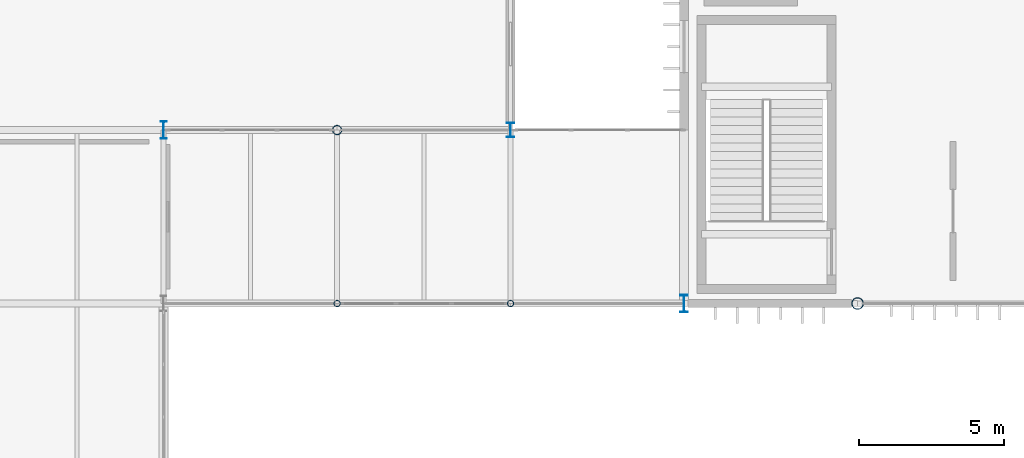
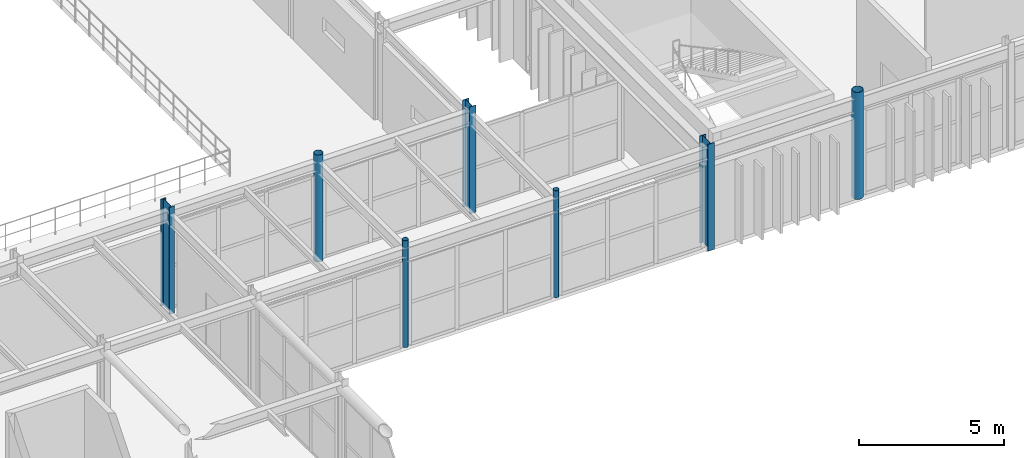
# One storey, part 9 of 84: 7 columns.
"""IFC4 building model written with IfcOpenShell, lengths in metres."""

import ifcopenshell
import ifcopenshell.guid

model = None  # the IFC model being written
_history = None  # IfcOwnerHistory: only IFC2X3 demands one
_inside = {}  # id of a spatial element -> (the spatial element, [elements in it])
_under = {}  # id of a project, library or spatial element -> (it, [spatial elements below it])
_declared = {}  # id of a project -> (the project, [libraries it declares])
_typed = {}  # id of a type object -> (the type object, [elements of that type])
_made_of = {}  # id of a material, layer set ... -> (it, [elements and type objects made of it])


def new_model(schema):
    """Start an empty IFC model of exactly this schema.

    Asked for "IFC4X3", IfcOpenShell would pick the latest addendum, in which some entities
    have other attributes; the version numbers below select the first issue.
    IFC2X3 requires an IfcOwnerHistory on every rooted entity: one is made here for all.
    """
    global model, _history
    if schema == "IFC4X3":
        model = ifcopenshell.file(schema_version=(4, 3, 0, 0))
    else:
        model = ifcopenshell.file(schema=schema)
    _inside.clear()
    _under.clear()
    _declared.clear()
    _typed.clear()
    _made_of.clear()
    _history = None
    if model.schema == "IFC2X3":
        org = make("IfcOrganization", Name="unknown")
        user = make(
            "IfcPersonAndOrganization",
            ThePerson=make("IfcPerson", FamilyName="unknown"),
            TheOrganization=org,
        )
        app = make(
            "IfcApplication",
            ApplicationDeveloper=org,
            Version="unknown",
            ApplicationFullName="unknown",
            ApplicationIdentifier="unknown",
        )
        _history = make(
            "IfcOwnerHistory",
            OwningUser=user,
            OwningApplication=app,
            ChangeAction="ADDED",
            CreationDate=0,
        )
    return model


def make(cls, **values):
    """One entity of the class cls with the attributes given. An attribute that is None is left unset."""
    return model.create_entity(
        cls, **{name: value for name, value in values.items() if value is not None}
    )


def rooted(cls, **values):
    """An entity with a GlobalId (a new one), such as an element, a storey or a relation."""
    return make(cls, GlobalId=ifcopenshell.guid.new(), OwnerHistory=_history, **values)


def si_unit(unit_type, name, prefix=None):
    """IfcSIUnit, for example si_unit("LENGTHUNIT", "METRE", prefix="MILLI")."""
    return make("IfcSIUnit", UnitType=unit_type, Prefix=prefix, Name=name)


def assignment(units):
    """IfcUnitAssignment: the units of a project."""
    return None if units is None else make("IfcUnitAssignment", Units=units)


def point(xyz):
    """IfcCartesianPoint."""
    return None if xyz is None else make("IfcCartesianPoint", Coordinates=xyz)


def direction(xyz):
    """IfcDirection."""
    return None if xyz is None else make("IfcDirection", DirectionRatios=xyz)


def frame(location, z_axis=None, x_axis=None):
    """IfcAxis2Placement3D, a coordinate frame: its origin and axes. An axis left out is left unset."""
    return make(
        "IfcAxis2Placement3D",
        Location=point(location),
        Axis=direction(z_axis),
        RefDirection=direction(x_axis),
    )


def frame_2d(location, x_axis=None):
    """IfcAxis2Placement2D, a coordinate frame in the plane: its origin and x axis."""
    return make(
        "IfcAxis2Placement2D", Location=point(location), RefDirection=direction(x_axis)
    )


def origin():
    """The frame at (0, 0, 0) with its axes left unset."""
    return frame((0.0, 0.0, 0.0))


def origin_2d():
    """The frame at (0, 0) in the plane with its x axis left unset."""
    return frame_2d((0.0, 0.0))


def place(relative_to, where):
    """IfcLocalPlacement: puts the frame where relative to a parent placement (None: the world)."""
    return make(
        "IfcLocalPlacement", PlacementRelTo=relative_to, RelativePlacement=where
    )


def context(
    kind, dimensions, precision=None, world=None, true_north=None, identifier=None
):
    """IfcGeometricRepresentationContext, for example the 3D "Model" context."""
    return make(
        "IfcGeometricRepresentationContext",
        ContextIdentifier=identifier,
        ContextType=kind,
        CoordinateSpaceDimension=dimensions,
        Precision=precision,
        WorldCoordinateSystem=world,
        TrueNorth=true_north,
    )


def subcontext(parent, identifier, kind, view, scale=None):
    """IfcGeometricRepresentationSubContext, for example "Body" below "Model"."""
    return make(
        "IfcGeometricRepresentationSubContext",
        ContextIdentifier=identifier,
        ContextType=kind,
        ParentContext=parent,
        TargetScale=scale,
        TargetView=view,
    )


def project(units=None, contexts=None):
    """IfcProject with its units and contexts."""
    return rooted(
        "IfcProject",
        Name="project",
        RepresentationContexts=contexts,
        UnitsInContext=assignment(units),
    )


def spatial(cls, under=None, at=None, **own):
    """A site, building, storey or space (cls), placed at a placement, below another one or the project."""
    s = rooted(cls, ObjectPlacement=at, **own)
    if under is not None:
        _under.setdefault(under.id(), (under, []))[1].append(s)
    return s


def profile(cls, at=None, kind="AREA", **sizes):
    """A parametric profile (cls). Its sizes go by their IFC names, for example OverallWidth=200.0."""
    return make(cls, ProfileType=kind, Position=at, **sizes)


def hollow_circle(**sizes):
    """IfcCircleHollowProfileDef."""
    return profile("IfcCircleHollowProfileDef", **sizes)


def i_section(**sizes):
    """IfcIShapeProfileDef."""
    return profile("IfcIShapeProfileDef", **sizes)


def extrude(swept, where, along, depth):
    """IfcExtrudedAreaSolid: the profile swept, set in the frame where, extruded along a direction by depth."""
    return make(
        "IfcExtrudedAreaSolid",
        SweptArea=swept,
        Position=where,
        ExtrudedDirection=direction(along),
        Depth=depth,
    )


def shape(context_of_items, identifier, shape_type, items):
    """IfcShapeRepresentation: the items that make up one representation, for example the "Body"."""
    return make(
        "IfcShapeRepresentation",
        ContextOfItems=context_of_items,
        RepresentationIdentifier=identifier,
        RepresentationType=shape_type,
        Items=items,
    )


def material(Name=None, Category=None):
    """IfcMaterial."""
    return make("IfcMaterial", Name=Name, Category=Category)


def material_profile(
    of_material, cross_section, Name=None, Category=None, Priority=None
):
    """IfcMaterialProfile: a cross section and its material."""
    return make(
        "IfcMaterialProfile",
        Name=Name,
        Material=of_material,
        Profile=cross_section,
        Priority=Priority,
        Category=Category,
    )


def profile_set(profiles, Name=None, composite=None):
    """IfcMaterialProfileSet."""
    return make(
        "IfcMaterialProfileSet",
        Name=Name,
        MaterialProfiles=profiles,
        CompositeProfile=composite,
    )


def made_of(thing, what):
    """Note that an element or type object is made of a material, layer set ...; save() writes the relation."""
    if what is not None:
        _made_of.setdefault(what.id(), (what, []))[1].append(thing)
    return thing


def type_object(cls, material=None, **own):
    """A type object (cls), such as IfcWallType, which elements share."""
    return made_of(rooted(cls, **own), material)


def element(
    cls,
    number,
    at=None,
    inside=None,
    cuts=None,
    type_object=None,
    material=None,
    context=None,
    identifier="Body",
    shape_type=None,
    held_by="IfcProductDefinitionShape",
    body=None,
    shapes=None,
    **own,
):
    """One element of the class cls, such as IfcWall. Its Tag is "e" and its number.

    at: its placement. inside: the storey or other place that contains it. cuts: it is an
    opening in that element (IfcRelVoidsElement). A single representation is given by context,
    identifier, shape_type and body (its items); several are given by shapes. held_by: the class
    of the entity that holds the representations. save() writes the other relations.
    """
    e = rooted(cls, Tag="e%d" % number, ObjectPlacement=at, **own)
    if body is not None:
        shapes = [shape(context, identifier, shape_type, body)]
    if shapes is not None:
        e.Representation = make(held_by, Representations=shapes)
    if inside is not None:
        _inside.setdefault(inside.id(), (inside, []))[1].append(e)
    if cuts is not None:
        rooted(
            "IfcRelVoidsElement", RelatingBuildingElement=cuts, RelatedOpeningElement=e
        )
    if type_object is not None:
        _typed.setdefault(type_object.id(), (type_object, []))[1].append(e)
    return made_of(e, material)


def aggregate(whole, parts):
    """IfcRelAggregates: a whole, such as a stair, and the parts it consists of."""
    return rooted("IfcRelAggregates", RelatingObject=whole, RelatedObjects=parts)


def save(model, path):
    """Write the relations noted so far, then the file.

    IfcRelAggregates (storeys below a building ...), IfcRelContainedInSpatialStructure (elements
    in a storey), IfcRelDefinesByType, IfcRelAssociatesMaterial and IfcRelDeclares: one each for
    every whole, place, type object, material and project.
    """
    for whole, parts in _under.values():
        aggregate(whole, parts)
    for where, things in _inside.values():
        rooted(
            "IfcRelContainedInSpatialStructure",
            RelatedElements=things,
            RelatingStructure=where,
        )
    for kind, things in _typed.values():
        rooted("IfcRelDefinesByType", RelatedObjects=things, RelatingType=kind)
    for what, things in _made_of.values():
        rooted("IfcRelAssociatesMaterial", RelatedObjects=things, RelatingMaterial=what)
    for by, libraries in _declared.values():
        rooted("IfcRelDeclares", RelatingContext=by, RelatedDefinitions=libraries)
    model.write(path)


model = new_model("IFC4")

# Units and contexts
model_context = context("Model", 3, precision=1e-05, world=origin(), true_north=direction((0.0, 1.0)))
body_context = subcontext(model_context, "Body", "Model", "MODEL_VIEW")
ifc_project = project(units=[si_unit("LENGTHUNIT", "METRE"), si_unit("AREAUNIT", "SQUARE_METRE"), si_unit("VOLUMEUNIT", "CUBIC_METRE"), si_unit("PLANEANGLEUNIT", "RADIAN"), si_unit("MASSUNIT", "GRAM", prefix="KILO")], contexts=[model_context])

# Site, building, storey
site_placement = place(None, origin())
site = spatial("IfcSite", under=ifc_project, at=site_placement, CompositionType="ELEMENT")
building_placement = place(site_placement, origin())
building = spatial("IfcBuilding", under=site, at=building_placement, Name="Varnakota Square Police Headquarters", CompositionType="ELEMENT")
storey_placement = place(building_placement, frame((0.0, 0.0, 13.5)))
storey = spatial("IfcBuildingStorey", under=building, at=storey_placement, Name="L03", CompositionType="ELEMENT", Elevation=13.5)

# Columns
ifc_material = material(Name="Steel IS 2062 Grade 350", Category="steel")
ifc_material_profile_1 = material_profile(ifc_material, hollow_circle(Radius=0.109619140625, WallThickness=0.008056640625, at=origin_2d()), Name="CHS 219.1x8.0")
ifc_profile_set_1 = profile_set([ifc_material_profile_1], Name="Steel IS 2062 Grade 350")
column_type_1 = type_object("IfcColumnType", Name="COL-CHS219", PredefinedType="COLUMN", material=ifc_profile_set_1)
for number, where, z_axis, x_axis, name in (
    (1, (48.0, 69.0, 0.0), (0.0, 0.0, 1.0), (1.0, 0.0, 0.0), "Column X0480-Y0690 L03"),
    (2, (54.0, 69.0, 0.0), (0.0, 0.0, 1.0), (1.0, 0.0, 0.0), "Column X0540-Y0690 L03"),
):
    element("IfcColumn", number, at=place(storey_placement, frame(where, z_axis=z_axis, x_axis=x_axis)), inside=storey, type_object=column_type_1, Name=name, PredefinedType="COLUMN", context=body_context, shape_type="SweptSolid", body=[
        extrude(hollow_circle(Radius=0.109619140625, WallThickness=0.008056640625, at=origin_2d()), origin(), (0.0, 0.0, 1.0), 4.5),
    ])
ifc_material_profile_2 = material_profile(ifc_material, hollow_circle(Radius=0.161865234375, WallThickness=0.0126953125, at=origin_2d()), Name="CHS 323.9x12.7")
ifc_profile_set_2 = profile_set([ifc_material_profile_2], Name="Steel IS 2062 Grade 350")
column_type_2 = type_object("IfcColumnType", Name="COL-CHS324", PredefinedType="COLUMN", material=ifc_profile_set_2)
column_1_placement = place(storey_placement, frame((48.0, 75.0, 0.0), z_axis=(0.0, 0.0, 1.0), x_axis=(1.0, 0.0, 0.0)))
element("IfcColumn", 3, at=column_1_placement, inside=storey, type_object=column_type_2, Name="Column X0480-Y0750 L03", PredefinedType="COLUMN", context=body_context, shape_type="SweptSolid", body=[
    extrude(hollow_circle(Radius=0.161865234375, WallThickness=0.0126953125, at=origin_2d()), origin(), (0.0, 0.0, 1.0), 4.5),
])
ifc_material_profile_3 = material_profile(ifc_material, hollow_circle(Radius=0.203125, WallThickness=0.01611328125, at=origin_2d()), Name="CHS 406.4x16.0")
ifc_profile_set_3 = profile_set([ifc_material_profile_3], Name="Steel IS 2062 Grade 350")
column_type_3 = type_object("IfcColumnType", Name="COL-CHS406", PredefinedType="COLUMN", material=ifc_profile_set_3)
column_2_placement = place(storey_placement, frame((66.0, 69.0, 0.0), z_axis=(0.0, 0.0, 1.0), x_axis=(1.0, 0.0, 0.0)))
element("IfcColumn", 4, at=column_2_placement, inside=storey, type_object=column_type_3, Name="Column X0660-Y0690 L03", PredefinedType="COLUMN", context=body_context, shape_type="SweptSolid", body=[
    extrude(hollow_circle(Radius=0.203125, WallThickness=0.01611328125, at=origin_2d()), origin(), (0.0, 0.0, 1.0), 4.5),
])
ifc_material_profile_4 = material_profile(ifc_material, i_section(OverallWidth=0.2099609375, OverallDepth=0.60009765625, WebThickness=0.011962890625, FlangeThickness=0.020751953125, FilletRadius=0.02001953125, at=origin_2d()), Name="ISMB 600")
ifc_profile_set_4 = profile_set([ifc_material_profile_4], Name="Steel IS 2062 Grade 350")
column_type_4 = type_object("IfcColumnType", Name="COL-ISMB600", PredefinedType="COLUMN", material=ifc_profile_set_4)
column_3_placement = place(storey_placement, frame((42.0, 75.0, 0.0), z_axis=(0.0, 0.0, 1.0), x_axis=(1.0, 0.0, 0.0)))
element("IfcColumn", 5, at=column_3_placement, inside=storey, type_object=column_type_4, Name="Column X0420-Y0750 L03", PredefinedType="COLUMN", context=body_context, shape_type="SweptSolid", body=[
    extrude(i_section(OverallWidth=0.2099609375, OverallDepth=0.60009765625, WebThickness=0.011962890625, FlangeThickness=0.020751953125, FilletRadius=0.02001953125, at=origin_2d()), origin(), (0.0, 0.0, 1.0), 4.5),
])
ifc_material_profile_5 = material_profile(ifc_material, i_section(OverallWidth=0.25, OverallDepth=0.5, WebThickness=0.010009765625, FlangeThickness=0.0146484375, FilletRadius=0.014892578125, at=origin_2d()), Name="ISWB 500")
ifc_profile_set_5 = profile_set([ifc_material_profile_5], Name="Steel IS 2062 Grade 350")
column_type_5 = type_object("IfcColumnType", Name="COL-ISWB500", PredefinedType="COLUMN", material=ifc_profile_set_5)
column_4_placement = place(storey_placement, frame((54.0, 75.0, 0.0), z_axis=(0.0, 0.0, 1.0), x_axis=(1.0, 0.0, 0.0)))
element("IfcColumn", 6, at=column_4_placement, inside=storey, type_object=column_type_5, Name="Column X0540-Y0750 L03", PredefinedType="COLUMN", context=body_context, shape_type="SweptSolid", body=[
    extrude(i_section(OverallWidth=0.25, OverallDepth=0.5, WebThickness=0.010009765625, FlangeThickness=0.0146484375, FilletRadius=0.014892578125, at=origin_2d()), origin(), (0.0, 0.0, 1.0), 4.5),
])
ifc_material_profile_6 = material_profile(ifc_material, i_section(OverallWidth=0.25, OverallDepth=0.60009765625, WebThickness=0.01171875, FlangeThickness=0.023681640625, FilletRadius=0.01708984375, at=origin_2d()), Name="ISWB 600")
ifc_profile_set_6 = profile_set([ifc_material_profile_6], Name="Steel IS 2062 Grade 350")
column_type_6 = type_object("IfcColumnType", Name="COL-ISWB600", PredefinedType="COLUMN", material=ifc_profile_set_6)
column_5_placement = place(storey_placement, frame((60.0, 69.0, 0.0), z_axis=(0.0, 0.0, 1.0), x_axis=(1.0, 0.0, 0.0)))
element("IfcColumn", 7, at=column_5_placement, inside=storey, type_object=column_type_6, Name="Column X0600-Y0690 L03", PredefinedType="COLUMN", context=body_context, shape_type="SweptSolid", body=[
    extrude(i_section(OverallWidth=0.25, OverallDepth=0.60009765625, WebThickness=0.01171875, FlangeThickness=0.023681640625, FilletRadius=0.01708984375, at=origin_2d()), origin(), (0.0, 0.0, 1.0), 4.5),
])

save(model, "model.ifc")
